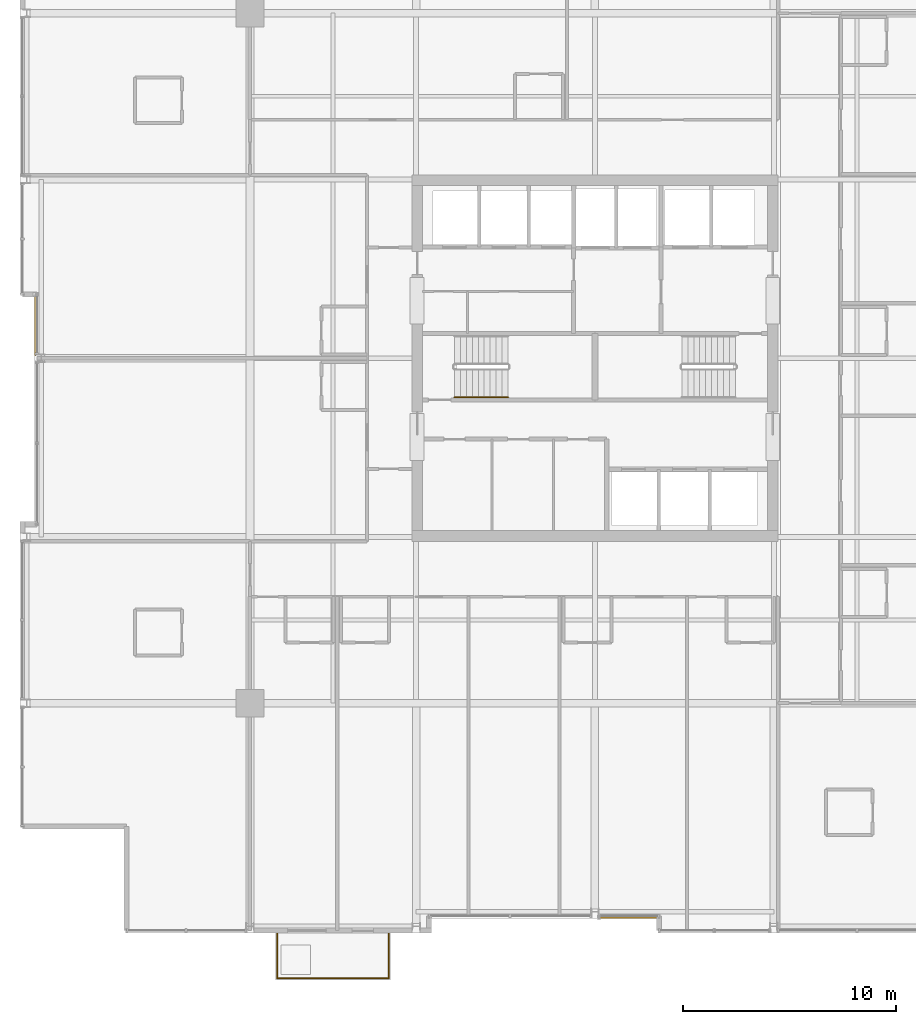
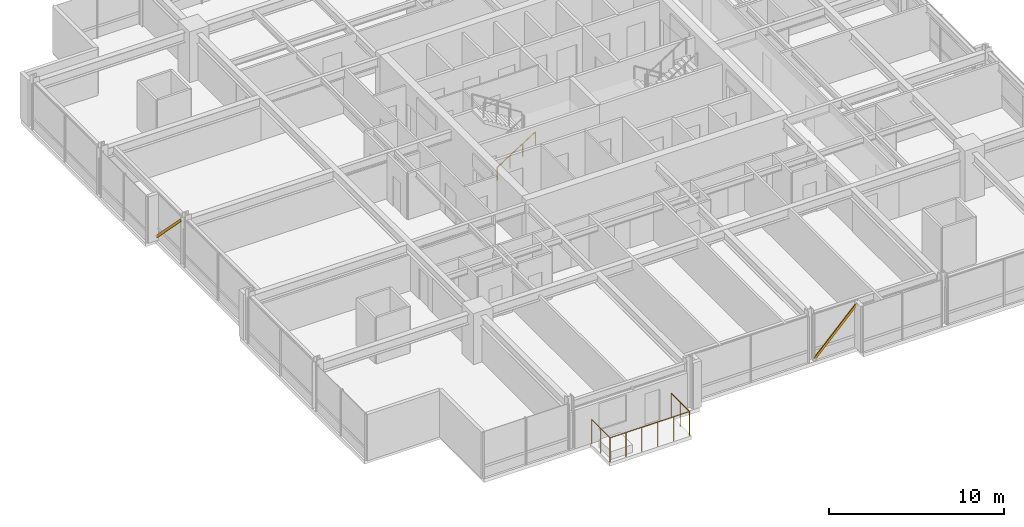
# One storey, part 31 of 33: 2 railings, 2 shading devices.
"""IFC4 building model written with IfcOpenShell, lengths in metres."""

from ifc_helpers import new_model, si_unit, direction, frame, origin, origin_2d, place, context, subcontext, project, spatial, hollow_rectangle, circle, extrude, material, material_profile, profile_set, type_object, element, save


model = new_model("IFC4")

# Units and contexts
model_context = context("Model", 3, precision=1e-05, world=origin(), true_north=direction((0.0, 1.0)))
body_context = subcontext(model_context, "Body", "Model", "MODEL_VIEW")
ifc_project = project(units=[si_unit("LENGTHUNIT", "METRE"), si_unit("AREAUNIT", "SQUARE_METRE"), si_unit("VOLUMEUNIT", "CUBIC_METRE"), si_unit("PLANEANGLEUNIT", "RADIAN"), si_unit("MASSUNIT", "GRAM", prefix="KILO")], contexts=[model_context])

# Site, building, storey
site_placement = place(None, origin())
site = spatial("IfcSite", under=ifc_project, at=site_placement, CompositionType="ELEMENT")
building_placement = place(site_placement, origin())
building = spatial("IfcBuilding", under=site, at=building_placement, Name="Drelvath Grand Hotel", CompositionType="ELEMENT")
storey_placement = place(building_placement, frame((0.0, 0.0, 196.550048828125)))
storey = spatial("IfcBuildingStorey", under=building, at=storey_placement, Name="L51", CompositionType="ELEMENT", Elevation=196.550048828125)

# Railing
ifc_material_1 = material(Name="Painted Steel S275", Category="steel")
railing_type_1 = type_object("IfcRailingType", Name="Core Stair Wall Handrail 900", PredefinedType="HANDRAIL", material=ifc_material_1)
railing_1_placement = place(storey_placement, frame((-6.60009765625, 25.169921875, 0.177490234375)))
element("IfcRailing", 1, at=railing_1_placement, inside=storey, type_object=railing_type_1, Name="L51 ST-1 stair handrail 1", PredefinedType="HANDRAIL", context=body_context, shape_type="SweptSolid", body=[
    extrude(circle(Radius=0.02392578125, at=origin_2d()), frame((0.0, 0.0, 0.8759765625), z_axis=(0.84460694969, 0.0, 0.535386869969), x_axis=(0.0, 1.0, 0.0)), (0.0, 0.0, 1.0), 2.983642578125),
    extrude(circle(Radius=0.02099609375, at=origin_2d()), origin(), (0.0, 0.0, 1.0), 0.851806640625),
    extrude(circle(Radius=0.02099609375, at=origin_2d()), frame((0.840087890625, 0.0, 0.532470703125)), (0.0, 0.0, 1.0), 0.851806640625),
    extrude(circle(Radius=0.02099609375, at=origin_2d()), frame((1.679931640625, 0.0, 1.06494140625)), (0.0, 0.0, 1.0), 0.851806640625),
    extrude(circle(Radius=0.02099609375, at=origin_2d()), frame((2.52001953125, 0.0, 1.597412109375)), (0.0, 0.0, 1.0), 0.851806640625),
])

# Shading devices
ifc_material_2 = material(Name="Brushed Pale-Silver Anodised Aluminium", Category="aluminium")
ifc_material_profile = material_profile(ifc_material_2, hollow_rectangle(XDim=0.06494140625, YDim=0.159912109375, WallThickness=0.00390625, at=origin_2d()), Name="HSS160X65X4")
ifc_profile_set = profile_set([ifc_material_profile], Name="Brushed Pale-Silver Anodised Aluminium")
shading_device_type = type_object("IfcShadingDeviceType", Name="Diagonal Solar Fin Pale-Silver Anodised HSS160X65X4", PredefinedType="USERDEFINED", material=ifc_profile_set)
for number, where, z_axis, x_axis, name in (
    (2, (-26.280029296875, 30.0, 0.179931640625), (0.0, -0.699373846448, 0.714756058319), (1.0, 0.0, 0.0), "L51 Diagonal Anodised Fin CW04-L51-WM2"),
    (3, (0.191650390625, 0.719970703125, 0.179931640625), (0.699373846448, 0.0, 0.714756058319), (0.0, 1.0, 0.0), "L51 Diagonal Anodised Fin CW04-L51-SM2"),
):
    element("IfcShadingDevice", number, at=place(storey_placement, frame(where, z_axis=z_axis, x_axis=x_axis)), inside=storey, type_object=shading_device_type, Name=name, ObjectType="FIN", PredefinedType="USERDEFINED", context=body_context, shape_type="SweptSolid", body=[
        extrude(hollow_rectangle(XDim=0.06494140625, YDim=0.159912109375, WallThickness=0.00390625, at=origin_2d()), origin(), (0.0, 0.0, 1.0), 4.015625),
    ])

# Railing
ifc_material_3 = material(Name="Anodised Aluminium and Laminated Glass Balustrade", Category="aluminium")
railing_type_2 = type_object("IfcRailingType", Name="Raised Planter Edge Balustrade 1700", PredefinedType="BALUSTRADE", material=ifc_material_3)
railing_2_placement = place(storey_placement, frame((-14.919921875, -0.02001953125, 0.0)))
element("IfcRailing", 4, at=railing_2_placement, inside=storey, type_object=railing_type_2, Name="L51 Tree Balcony Perimeter Balustrade 1", PredefinedType="BALUSTRADE", context=body_context, shape_type="SweptSolid", body=[
    extrude(circle(Radius=0.02392578125, at=origin_2d()), frame((0.0, 0.0, 1.67578125), z_axis=(0.0, -1.0, 0.0), x_axis=(1.0, 0.0, 0.0)), (0.0, 0.0, 1.0), 2.10009765625),
    extrude(circle(Radius=0.02392578125, at=origin_2d()), frame((0.0, -2.10009765625, 1.67578125), z_axis=(1.0, 0.0, 0.0), x_axis=(0.0, 1.0, 0.0)), (0.0, 0.0, 1.0), 5.239990234375),
    extrude(circle(Radius=0.02392578125, at=origin_2d()), frame((5.239990234375, -2.10009765625, 1.67578125), z_axis=(0.0, 1.0, 0.0), x_axis=(-1.0, 0.0, 0.0)), (0.0, 0.0, 1.0), 2.10009765625),
    extrude(circle(Radius=0.02099609375, at=origin_2d()), origin(), (0.0, 0.0, 1.0), 1.65185546875),
    extrude(circle(Radius=0.02099609375, at=origin_2d()), frame((0.0, -1.050048828125, 0.0)), (0.0, 0.0, 1.0), 1.65185546875),
    extrude(circle(Radius=0.02099609375, at=origin_2d()), frame((0.0, -2.10009765625, 0.0)), (0.0, 0.0, 1.0), 1.65185546875),
    extrude(circle(Radius=0.02099609375, at=origin_2d()), frame((1.048095703125, -2.10009765625, 0.0)), (0.0, 0.0, 1.0), 1.65185546875),
    extrude(circle(Radius=0.02099609375, at=origin_2d()), frame((2.095947265625, -2.10009765625, 0.0)), (0.0, 0.0, 1.0), 1.65185546875),
    extrude(circle(Radius=0.02099609375, at=origin_2d()), frame((3.14404296875, -2.10009765625, 0.0)), (0.0, 0.0, 1.0), 1.65185546875),
    extrude(circle(Radius=0.02099609375, at=origin_2d()), frame((4.19189453125, -2.10009765625, 0.0)), (0.0, 0.0, 1.0), 1.65185546875),
    extrude(circle(Radius=0.02099609375, at=origin_2d()), frame((5.239990234375, -2.10009765625, 0.0)), (0.0, 0.0, 1.0), 1.65185546875),
    extrude(circle(Radius=0.02099609375, at=origin_2d()), frame((5.239990234375, -1.050048828125, 0.0)), (0.0, 0.0, 1.0), 1.65185546875),
    extrude(circle(Radius=0.02099609375, at=origin_2d()), frame((5.239990234375, 0.0, 0.0)), (0.0, 0.0, 1.0), 1.65185546875),
])

save(model, "model.ifc")
